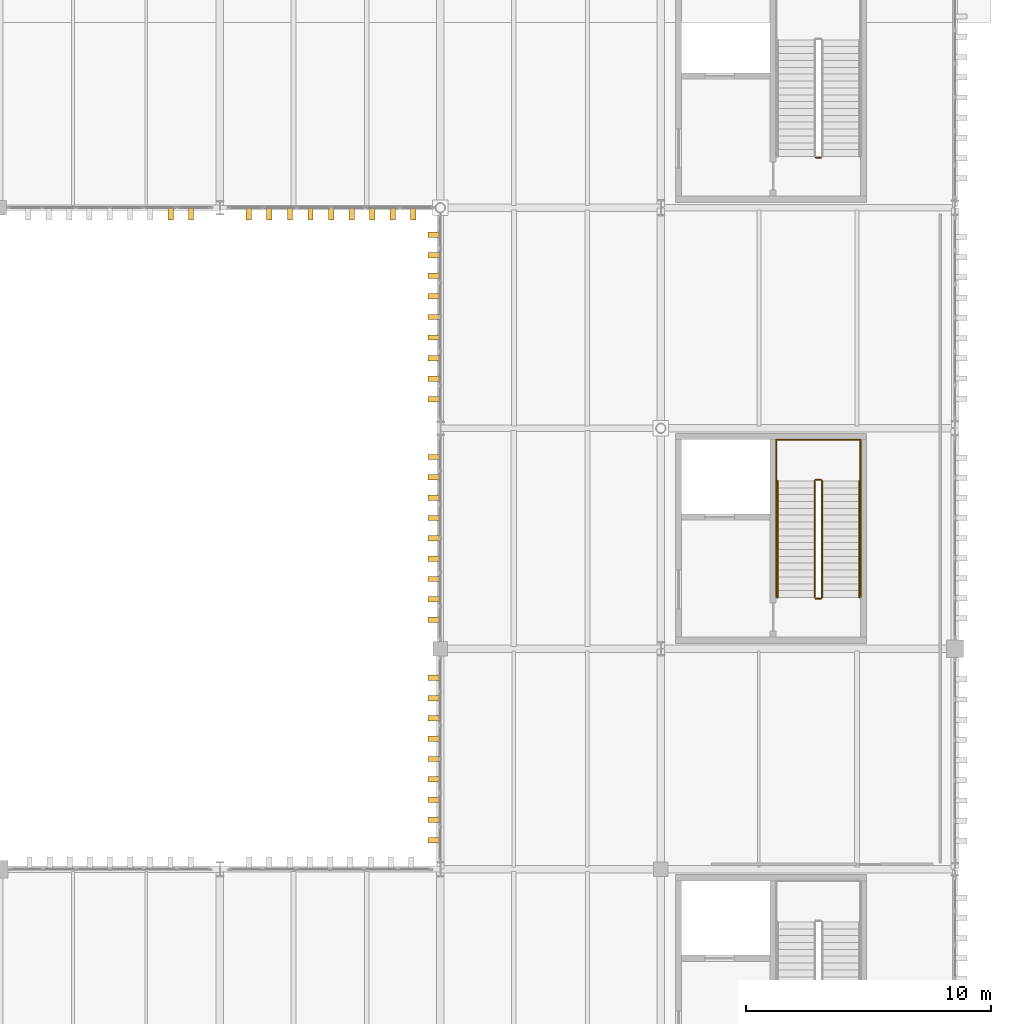
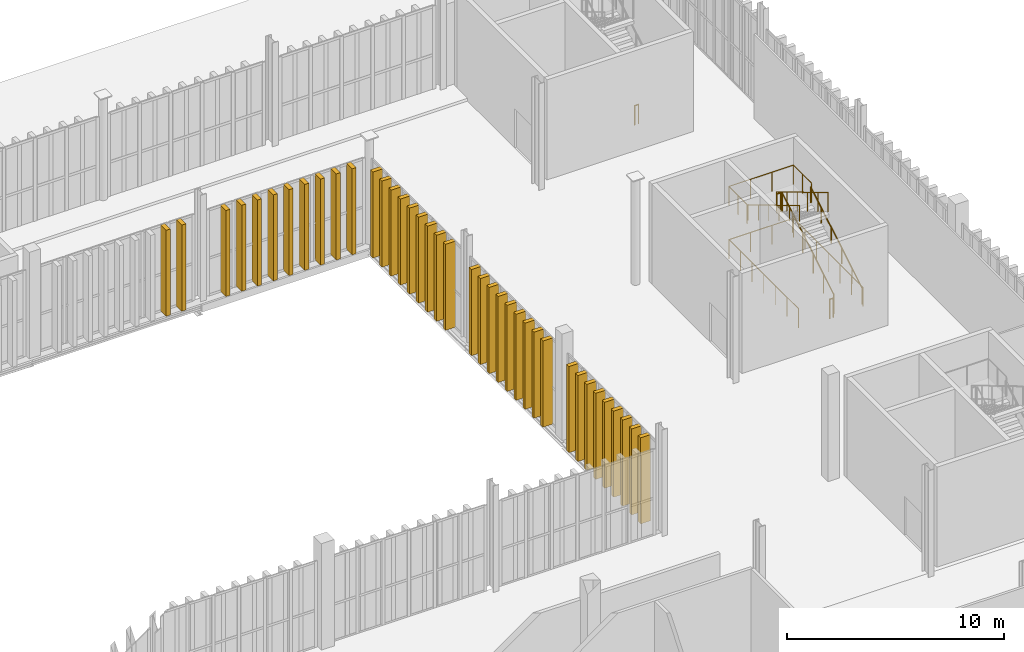
# One storey, part 230 of 237: 38 shading devices, 13 railings.
"""IFC4 building model written with IfcOpenShell, lengths in metres."""

import ifcopenshell
import ifcopenshell.guid

model = None  # the IFC model being written
_history = None  # IfcOwnerHistory: only IFC2X3 demands one
_inside = {}  # id of a spatial element -> (the spatial element, [elements in it])
_under = {}  # id of a project, library or spatial element -> (it, [spatial elements below it])
_declared = {}  # id of a project -> (the project, [libraries it declares])
_typed = {}  # id of a type object -> (the type object, [elements of that type])
_made_of = {}  # id of a material, layer set ... -> (it, [elements and type objects made of it])


def new_model(schema):
    """Start an empty IFC model of exactly this schema.

    Asked for "IFC4X3", IfcOpenShell would pick the latest addendum, in which some entities
    have other attributes; the version numbers below select the first issue.
    IFC2X3 requires an IfcOwnerHistory on every rooted entity: one is made here for all.
    """
    global model, _history
    if schema == "IFC4X3":
        model = ifcopenshell.file(schema_version=(4, 3, 0, 0))
    else:
        model = ifcopenshell.file(schema=schema)
    _inside.clear()
    _under.clear()
    _declared.clear()
    _typed.clear()
    _made_of.clear()
    _history = None
    if model.schema == "IFC2X3":
        org = make("IfcOrganization", Name="unknown")
        user = make(
            "IfcPersonAndOrganization",
            ThePerson=make("IfcPerson", FamilyName="unknown"),
            TheOrganization=org,
        )
        app = make(
            "IfcApplication",
            ApplicationDeveloper=org,
            Version="unknown",
            ApplicationFullName="unknown",
            ApplicationIdentifier="unknown",
        )
        _history = make(
            "IfcOwnerHistory",
            OwningUser=user,
            OwningApplication=app,
            ChangeAction="ADDED",
            CreationDate=0,
        )
    return model


def make(cls, **values):
    """One entity of the class cls with the attributes given. An attribute that is None is left unset."""
    return model.create_entity(
        cls, **{name: value for name, value in values.items() if value is not None}
    )


def rooted(cls, **values):
    """An entity with a GlobalId (a new one), such as an element, a storey or a relation."""
    return make(cls, GlobalId=ifcopenshell.guid.new(), OwnerHistory=_history, **values)


def si_unit(unit_type, name, prefix=None):
    """IfcSIUnit, for example si_unit("LENGTHUNIT", "METRE", prefix="MILLI")."""
    return make("IfcSIUnit", UnitType=unit_type, Prefix=prefix, Name=name)


def assignment(units):
    """IfcUnitAssignment: the units of a project."""
    return None if units is None else make("IfcUnitAssignment", Units=units)


def point(xyz):
    """IfcCartesianPoint."""
    return None if xyz is None else make("IfcCartesianPoint", Coordinates=xyz)


def direction(xyz):
    """IfcDirection."""
    return None if xyz is None else make("IfcDirection", DirectionRatios=xyz)


def frame(location, z_axis=None, x_axis=None):
    """IfcAxis2Placement3D, a coordinate frame: its origin and axes. An axis left out is left unset."""
    return make(
        "IfcAxis2Placement3D",
        Location=point(location),
        Axis=direction(z_axis),
        RefDirection=direction(x_axis),
    )


def frame_2d(location, x_axis=None):
    """IfcAxis2Placement2D, a coordinate frame in the plane: its origin and x axis."""
    return make(
        "IfcAxis2Placement2D", Location=point(location), RefDirection=direction(x_axis)
    )


def origin():
    """The frame at (0, 0, 0) with its axes left unset."""
    return frame((0.0, 0.0, 0.0))


def origin_2d():
    """The frame at (0, 0) in the plane with its x axis left unset."""
    return frame_2d((0.0, 0.0))


def place(relative_to, where):
    """IfcLocalPlacement: puts the frame where relative to a parent placement (None: the world)."""
    return make(
        "IfcLocalPlacement", PlacementRelTo=relative_to, RelativePlacement=where
    )


def context(
    kind, dimensions, precision=None, world=None, true_north=None, identifier=None
):
    """IfcGeometricRepresentationContext, for example the 3D "Model" context."""
    return make(
        "IfcGeometricRepresentationContext",
        ContextIdentifier=identifier,
        ContextType=kind,
        CoordinateSpaceDimension=dimensions,
        Precision=precision,
        WorldCoordinateSystem=world,
        TrueNorth=true_north,
    )


def subcontext(parent, identifier, kind, view, scale=None):
    """IfcGeometricRepresentationSubContext, for example "Body" below "Model"."""
    return make(
        "IfcGeometricRepresentationSubContext",
        ContextIdentifier=identifier,
        ContextType=kind,
        ParentContext=parent,
        TargetScale=scale,
        TargetView=view,
    )


def project(units=None, contexts=None):
    """IfcProject with its units and contexts."""
    return rooted(
        "IfcProject",
        Name="project",
        RepresentationContexts=contexts,
        UnitsInContext=assignment(units),
    )


def spatial(cls, under=None, at=None, **own):
    """A site, building, storey or space (cls), placed at a placement, below another one or the project."""
    s = rooted(cls, ObjectPlacement=at, **own)
    if under is not None:
        _under.setdefault(under.id(), (under, []))[1].append(s)
    return s


def profile(cls, at=None, kind="AREA", **sizes):
    """A parametric profile (cls). Its sizes go by their IFC names, for example OverallWidth=200.0."""
    return make(cls, ProfileType=kind, Position=at, **sizes)


def rectangle(**sizes):
    """IfcRectangleProfileDef."""
    return profile("IfcRectangleProfileDef", **sizes)


def circle(**sizes):
    """IfcCircleProfileDef."""
    return profile("IfcCircleProfileDef", **sizes)


def extrude(swept, where, along, depth):
    """IfcExtrudedAreaSolid: the profile swept, set in the frame where, extruded along a direction by depth."""
    return make(
        "IfcExtrudedAreaSolid",
        SweptArea=swept,
        Position=where,
        ExtrudedDirection=direction(along),
        Depth=depth,
    )


def shape(context_of_items, identifier, shape_type, items):
    """IfcShapeRepresentation: the items that make up one representation, for example the "Body"."""
    return make(
        "IfcShapeRepresentation",
        ContextOfItems=context_of_items,
        RepresentationIdentifier=identifier,
        RepresentationType=shape_type,
        Items=items,
    )


def material(Name=None, Category=None):
    """IfcMaterial."""
    return make("IfcMaterial", Name=Name, Category=Category)


def made_of(thing, what):
    """Note that an element or type object is made of a material, layer set ...; save() writes the relation."""
    if what is not None:
        _made_of.setdefault(what.id(), (what, []))[1].append(thing)
    return thing


def type_object(cls, material=None, **own):
    """A type object (cls), such as IfcWallType, which elements share."""
    return made_of(rooted(cls, **own), material)


def element(
    cls,
    number,
    at=None,
    inside=None,
    cuts=None,
    type_object=None,
    material=None,
    context=None,
    identifier="Body",
    shape_type=None,
    held_by="IfcProductDefinitionShape",
    body=None,
    shapes=None,
    **own,
):
    """One element of the class cls, such as IfcWall. Its Tag is "e" and its number.

    at: its placement. inside: the storey or other place that contains it. cuts: it is an
    opening in that element (IfcRelVoidsElement). A single representation is given by context,
    identifier, shape_type and body (its items); several are given by shapes. held_by: the class
    of the entity that holds the representations. save() writes the other relations.
    """
    e = rooted(cls, Tag="e%d" % number, ObjectPlacement=at, **own)
    if body is not None:
        shapes = [shape(context, identifier, shape_type, body)]
    if shapes is not None:
        e.Representation = make(held_by, Representations=shapes)
    if inside is not None:
        _inside.setdefault(inside.id(), (inside, []))[1].append(e)
    if cuts is not None:
        rooted(
            "IfcRelVoidsElement", RelatingBuildingElement=cuts, RelatedOpeningElement=e
        )
    if type_object is not None:
        _typed.setdefault(type_object.id(), (type_object, []))[1].append(e)
    return made_of(e, material)


def aggregate(whole, parts):
    """IfcRelAggregates: a whole, such as a stair, and the parts it consists of."""
    return rooted("IfcRelAggregates", RelatingObject=whole, RelatedObjects=parts)


def save(model, path):
    """Write the relations noted so far, then the file.

    IfcRelAggregates (storeys below a building ...), IfcRelContainedInSpatialStructure (elements
    in a storey), IfcRelDefinesByType, IfcRelAssociatesMaterial and IfcRelDeclares: one each for
    every whole, place, type object, material and project.
    """
    for whole, parts in _under.values():
        aggregate(whole, parts)
    for where, things in _inside.values():
        rooted(
            "IfcRelContainedInSpatialStructure",
            RelatedElements=things,
            RelatingStructure=where,
        )
    for kind, things in _typed.values():
        rooted("IfcRelDefinesByType", RelatedObjects=things, RelatingType=kind)
    for what, things in _made_of.values():
        rooted("IfcRelAssociatesMaterial", RelatedObjects=things, RelatingMaterial=what)
    for by, libraries in _declared.values():
        rooted("IfcRelDeclares", RelatingContext=by, RelatedDefinitions=libraries)
    model.write(path)


model = new_model("IFC4")

# Units and contexts
model_context = context("Model", 3, precision=1e-05, world=origin(), true_north=direction((0.0, 1.0)))
body_context = subcontext(model_context, "Body", "Model", "MODEL_VIEW")
ifc_project = project(units=[si_unit("LENGTHUNIT", "METRE"), si_unit("AREAUNIT", "SQUARE_METRE"), si_unit("VOLUMEUNIT", "CUBIC_METRE"), si_unit("PLANEANGLEUNIT", "RADIAN"), si_unit("MASSUNIT", "GRAM", prefix="KILO")], contexts=[model_context])

# Site, building, storey
site_placement = place(None, origin())
site = spatial("IfcSite", under=ifc_project, at=site_placement, CompositionType="ELEMENT")
building_placement = place(site_placement, origin())
building = spatial("IfcBuilding", under=site, at=building_placement, Name="Barlavento Convention Centre", CompositionType="ELEMENT")
storey_placement = place(building_placement, frame((0.0, 0.0, 12.0)))
storey = spatial("IfcBuildingStorey", under=building, at=storey_placement, Name="L02", CompositionType="ELEMENT", Elevation=12.0)

# Railings
ifc_material_1 = material(Name="Stainless steel and laminated glass balustrade", Category="steel")
railing_type_1 = type_object("IfcRailingType", Name="ARC-RAL-BAL-1100", PredefinedType="BALUSTRADE", material=ifc_material_1)
railing_1_placement = place(storey_placement, frame((186.580078125, 74.090087890625, 0.166748046875)))
element("IfcRailing", 1, at=railing_1_placement, inside=storey, type_object=railing_type_1, Name="L02 ST07 stair guard 1", PredefinedType="BALUSTRADE", context=body_context, shape_type="SweptSolid", body=[
    extrude(circle(Radius=0.02392578125, at=origin_2d()), frame((0.0, 0.0, 1.076171875), z_axis=(0.0, 0.859299802514, 0.511472237174), x_axis=(-1.0, 0.0, 0.0)), (0.0, 0.0, 1.0), 5.539306640625),
    extrude(circle(Radius=0.02099609375, at=origin_2d()), origin(), (0.0, 0.0, 1.0), 1.052001953125),
    extrude(circle(Radius=0.02099609375, at=origin_2d()), frame((0.0, 0.951904296875, 0.566650390625)), (0.0, 0.0, 1.0), 1.052001953125),
    extrude(circle(Radius=0.02099609375, at=origin_2d()), frame((0.0, 1.904052734375, 1.13330078125)), (0.0, 0.0, 1.0), 1.052001953125),
    extrude(circle(Radius=0.02099609375, at=origin_2d()), frame((0.0, 2.85595703125, 1.699951171875)), (0.0, 0.0, 1.0), 1.052001953125),
    extrude(circle(Radius=0.02099609375, at=origin_2d()), frame((0.0, 3.80810546875, 2.2666015625)), (0.0, 0.0, 1.0), 1.052001953125),
    extrude(circle(Radius=0.02099609375, at=origin_2d()), frame((0.0, 4.760009765625, 2.833251953125)), (0.0, 0.0, 1.0), 1.052001953125),
])
railing_2_placement = place(storey_placement, frame((186.530029296875, 78.89990234375, 3.0)))
element("IfcRailing", 2, at=railing_2_placement, inside=storey, type_object=railing_type_1, Name="L02 ST07 stair guard 2", PredefinedType="BALUSTRADE", context=body_context, shape_type="SweptSolid", body=[
    extrude(circle(Radius=0.02392578125, at=origin_2d()), frame((0.0, 0.0, 1.076171875), z_axis=(-1.0, 0.0, 0.0), x_axis=(0.0, -1.0, 0.0)), (0.0, 0.0, 1.0), 0.199951171875),
    extrude(circle(Radius=0.02099609375, at=origin_2d()), origin(), (0.0, 0.0, 1.0), 1.052001953125),
    extrude(circle(Radius=0.02099609375, at=origin_2d()), frame((-0.199951171875, 0.0, 0.0)), (0.0, 0.0, 1.0), 1.052001953125),
])
railing_3_placement = place(storey_placement, frame((186.280029296875, 78.85009765625, 3.166748046875)))
element("IfcRailing", 3, at=railing_3_placement, inside=storey, type_object=railing_type_1, Name="L02 ST07 stair guard 3", PredefinedType="BALUSTRADE", context=body_context, shape_type="SweptSolid", body=[
    extrude(circle(Radius=0.02392578125, at=origin_2d()), frame((0.0, 0.0, 1.076171875), z_axis=(0.0, -0.859299802514, 0.511472237174), x_axis=(1.0, 0.0, 0.0)), (0.0, 0.0, 1.0), 5.539306640625),
    extrude(circle(Radius=0.02099609375, at=origin_2d()), origin(), (0.0, 0.0, 1.0), 1.052001953125),
    extrude(circle(Radius=0.02099609375, at=origin_2d()), frame((0.0, -0.951904296875, 0.566650390625)), (0.0, 0.0, 1.0), 1.052001953125),
    extrude(circle(Radius=0.02099609375, at=origin_2d()), frame((0.0, -1.904052734375, 1.13330078125)), (0.0, 0.0, 1.0), 1.052001953125),
    extrude(circle(Radius=0.02099609375, at=origin_2d()), frame((0.0, -2.85595703125, 1.699951171875)), (0.0, 0.0, 1.0), 1.052001953125),
    extrude(circle(Radius=0.02099609375, at=origin_2d()), frame((0.0, -3.80810546875, 2.2666015625)), (0.0, 0.0, 1.0), 1.052001953125),
    extrude(circle(Radius=0.02099609375, at=origin_2d()), frame((0.0, -4.760009765625, 2.833251953125)), (0.0, 0.0, 1.0), 1.052001953125),
])
railing_4_placement = place(storey_placement, frame((186.530029296875, 74.0400390625, 0.0)))
element("IfcRailing", 4, at=railing_4_placement, inside=storey, type_object=railing_type_1, Name="L02 ST07 stair guard 4", PredefinedType="BALUSTRADE", context=body_context, shape_type="SweptSolid", body=[
    extrude(circle(Radius=0.02392578125, at=origin_2d()), frame((0.0, 0.0, 1.076171875), z_axis=(-1.0, 0.0, 0.0), x_axis=(0.0, -1.0, 0.0)), (0.0, 0.0, 1.0), 0.199951171875),
    extrude(circle(Radius=0.02099609375, at=origin_2d()), origin(), (0.0, 0.0, 1.0), 1.052001953125),
    extrude(circle(Radius=0.02099609375, at=origin_2d()), frame((-0.199951171875, 0.0, 0.0)), (0.0, 0.0, 1.0), 1.052001953125),
])
for number, where, name in (
    (5, (188.14990234375, 78.85009765625, 3.0), "L02 landing guard GR01"),
    (6, (184.7099609375, 78.85009765625, 3.0), "L02 landing guard GR01"),
):
    element("IfcRailing", number, at=place(storey_placement, frame(where)), inside=storey, type_object=railing_type_1, Name=name, PredefinedType="BALUSTRADE", context=body_context, shape_type="SweptSolid", body=[
        extrude(circle(Radius=0.02392578125, at=origin_2d()), frame((0.0, 0.0, 1.076171875), z_axis=(0.0, 1.0, 0.0), x_axis=(-1.0, 0.0, 0.0)), (0.0, 0.0, 1.0), 1.679931640625),
        extrude(circle(Radius=0.02099609375, at=origin_2d()), origin(), (0.0, 0.0, 1.0), 1.052001953125),
        extrude(circle(Radius=0.02099609375, at=origin_2d()), frame((0.0, 0.83984375, 0.0)), (0.0, 0.0, 1.0), 1.052001953125),
        extrude(circle(Radius=0.02099609375, at=origin_2d()), frame((0.0, 1.679931640625, 0.0)), (0.0, 0.0, 1.0), 1.052001953125),
    ])
railing_5_placement = place(storey_placement, frame((188.14990234375, 80.530029296875, 3.0)))
element("IfcRailing", 7, at=railing_5_placement, inside=storey, type_object=railing_type_1, Name="L02 landing guard GR01", PredefinedType="BALUSTRADE", context=body_context, shape_type="SweptSolid", body=[
    extrude(circle(Radius=0.02392578125, at=origin_2d()), frame((0.0, 0.0, 1.076171875), z_axis=(-1.0, 0.0, 0.0), x_axis=(0.0, -1.0, 0.0)), (0.0, 0.0, 1.0), 3.43994140625),
    extrude(circle(Radius=0.02099609375, at=origin_2d()), origin(), (0.0, 0.0, 1.0), 1.052001953125),
    extrude(circle(Radius=0.02099609375, at=origin_2d()), frame((-1.146728515625, 0.0, 0.0)), (0.0, 0.0, 1.0), 1.052001953125),
    extrude(circle(Radius=0.02099609375, at=origin_2d()), frame((-2.293212890625, 0.0, 0.0)), (0.0, 0.0, 1.0), 1.052001953125),
    extrude(circle(Radius=0.02099609375, at=origin_2d()), frame((-3.43994140625, 0.0, 0.0)), (0.0, 0.0, 1.0), 1.052001953125),
])
railing_6_placement = place(storey_placement, frame((188.14990234375, 74.114990234375, 0.0)))
element("IfcRailing", 8, at=railing_6_placement, inside=storey, type_object=railing_type_1, Name="L02 stairwell perimeter guard GR01", PredefinedType="BALUSTRADE", context=body_context, shape_type="SweptSolid", body=[
    extrude(circle(Radius=0.02392578125, at=origin_2d()), frame((0.0, 0.0, 1.076171875), z_axis=(0.0, 1.0, 0.0), x_axis=(-1.0, 0.0, 0.0)), (0.0, 0.0, 1.0), 6.4150390625),
    extrude(circle(Radius=0.02099609375, at=origin_2d()), origin(), (0.0, 0.0, 1.0), 1.052001953125),
    extrude(circle(Radius=0.02099609375, at=origin_2d()), frame((0.0, 1.069091796875, 0.0)), (0.0, 0.0, 1.0), 1.052001953125),
    extrude(circle(Radius=0.02099609375, at=origin_2d()), frame((0.0, 2.138427734375, 0.0)), (0.0, 0.0, 1.0), 1.052001953125),
    extrude(circle(Radius=0.02099609375, at=origin_2d()), frame((0.0, 3.20751953125, 0.0)), (0.0, 0.0, 1.0), 1.052001953125),
    extrude(circle(Radius=0.02099609375, at=origin_2d()), frame((0.0, 4.276611328125, 0.0)), (0.0, 0.0, 1.0), 1.052001953125),
    extrude(circle(Radius=0.02099609375, at=origin_2d()), frame((0.0, 5.345947265625, 0.0)), (0.0, 0.0, 1.0), 1.052001953125),
    extrude(circle(Radius=0.02099609375, at=origin_2d()), frame((0.0, 6.4150390625, 0.0)), (0.0, 0.0, 1.0), 1.052001953125),
])
railing_7_placement = place(storey_placement, frame((188.14990234375, 80.530029296875, 0.0)))
element("IfcRailing", 9, at=railing_7_placement, inside=storey, type_object=railing_type_1, Name="L02 stairwell perimeter guard GR01", PredefinedType="BALUSTRADE", context=body_context, shape_type="SweptSolid", body=[
    extrude(circle(Radius=0.02392578125, at=origin_2d()), frame((0.0, 0.0, 1.076171875), z_axis=(-1.0, 0.0, 0.0), x_axis=(0.0, -1.0, 0.0)), (0.0, 0.0, 1.0), 3.43994140625),
    extrude(circle(Radius=0.02099609375, at=origin_2d()), origin(), (0.0, 0.0, 1.0), 1.052001953125),
    extrude(circle(Radius=0.02099609375, at=origin_2d()), frame((-1.146728515625, 0.0, 0.0)), (0.0, 0.0, 1.0), 1.052001953125),
    extrude(circle(Radius=0.02099609375, at=origin_2d()), frame((-2.293212890625, 0.0, 0.0)), (0.0, 0.0, 1.0), 1.052001953125),
    extrude(circle(Radius=0.02099609375, at=origin_2d()), frame((-3.43994140625, 0.0, 0.0)), (0.0, 0.0, 1.0), 1.052001953125),
])
railing_8_placement = place(storey_placement, frame((184.7099609375, 80.530029296875, 0.0)))
element("IfcRailing", 10, at=railing_8_placement, inside=storey, type_object=railing_type_1, Name="L02 stairwell perimeter guard GR01", PredefinedType="BALUSTRADE", context=body_context, shape_type="SweptSolid", body=[
    extrude(circle(Radius=0.02392578125, at=origin_2d()), frame((0.0, 0.0, 1.076171875), z_axis=(0.0, -1.0, 0.0), x_axis=(1.0, 0.0, 0.0)), (0.0, 0.0, 1.0), 6.4150390625),
    extrude(circle(Radius=0.02099609375, at=origin_2d()), origin(), (0.0, 0.0, 1.0), 1.052001953125),
    extrude(circle(Radius=0.02099609375, at=origin_2d()), frame((0.0, -1.069091796875, 0.0)), (0.0, 0.0, 1.0), 1.052001953125),
    extrude(circle(Radius=0.02099609375, at=origin_2d()), frame((0.0, -2.138427734375, 0.0)), (0.0, 0.0, 1.0), 1.052001953125),
    extrude(circle(Radius=0.02099609375, at=origin_2d()), frame((0.0, -3.20751953125, 0.0)), (0.0, 0.0, 1.0), 1.052001953125),
    extrude(circle(Radius=0.02099609375, at=origin_2d()), frame((0.0, -4.276611328125, 0.0)), (0.0, 0.0, 1.0), 1.052001953125),
    extrude(circle(Radius=0.02099609375, at=origin_2d()), frame((0.0, -5.345947265625, 0.0)), (0.0, 0.0, 1.0), 1.052001953125),
    extrude(circle(Radius=0.02099609375, at=origin_2d()), frame((0.0, -6.4150390625, 0.0)), (0.0, 0.0, 1.0), 1.052001953125),
])
railing_9_placement = place(storey_placement, frame((186.530029296875, 92.0400390625, 0.0)))
element("IfcRailing", 11, at=railing_9_placement, inside=storey, type_object=railing_type_1, Name="L02 ST08 stair guard 4", PredefinedType="BALUSTRADE", context=body_context, shape_type="SweptSolid", body=[
    extrude(circle(Radius=0.02392578125, at=origin_2d()), frame((0.0, 0.0, 1.076171875), z_axis=(-1.0, 0.0, 0.0), x_axis=(0.0, -1.0, 0.0)), (0.0, 0.0, 1.0), 0.199951171875),
    extrude(circle(Radius=0.02099609375, at=origin_2d()), origin(), (0.0, 0.0, 1.0), 1.052001953125),
    extrude(circle(Radius=0.02099609375, at=origin_2d()), frame((-0.199951171875, 0.0, 0.0)), (0.0, 0.0, 1.0), 1.052001953125),
])
ifc_material_2 = material(Name="Brushed stainless steel tubular handrail", Category="steel")
railing_type_2 = type_object("IfcRailingType", Name="ARC-RAL-HR-900", PredefinedType="HANDRAIL", material=ifc_material_2)
railing_10_placement = place(storey_placement, frame((188.10009765625, 74.090087890625, 0.166748046875)))
element("IfcRailing", 12, at=railing_10_placement, inside=storey, type_object=railing_type_2, Name="L02 ST07 stair handrail 1", PredefinedType="HANDRAIL", context=body_context, shape_type="SweptSolid", body=[
    extrude(circle(Radius=0.02392578125, at=origin_2d()), frame((0.0, 0.0, 0.8759765625), z_axis=(0.0, 0.859299802514, 0.511472237174), x_axis=(-1.0, 0.0, 0.0)), (0.0, 0.0, 1.0), 5.539306640625),
    extrude(circle(Radius=0.02099609375, at=origin_2d()), origin(), (0.0, 0.0, 1.0), 0.851806640625),
    extrude(circle(Radius=0.02099609375, at=origin_2d()), frame((0.0, 0.951904296875, 0.566650390625)), (0.0, 0.0, 1.0), 0.851806640625),
    extrude(circle(Radius=0.02099609375, at=origin_2d()), frame((0.0, 1.904052734375, 1.13330078125)), (0.0, 0.0, 1.0), 0.851806640625),
    extrude(circle(Radius=0.02099609375, at=origin_2d()), frame((0.0, 2.85595703125, 1.699951171875)), (0.0, 0.0, 1.0), 0.851806640625),
    extrude(circle(Radius=0.02099609375, at=origin_2d()), frame((0.0, 3.80810546875, 2.2666015625)), (0.0, 0.0, 1.0), 0.851806640625),
    extrude(circle(Radius=0.02099609375, at=origin_2d()), frame((0.0, 4.760009765625, 2.833251953125)), (0.0, 0.0, 1.0), 0.851806640625),
])
railing_11_placement = place(storey_placement, frame((184.760009765625, 78.85009765625, 3.166748046875)))
element("IfcRailing", 13, at=railing_11_placement, inside=storey, type_object=railing_type_2, Name="L02 ST07 stair handrail 2", PredefinedType="HANDRAIL", context=body_context, shape_type="SweptSolid", body=[
    extrude(circle(Radius=0.02392578125, at=origin_2d()), frame((0.0, 0.0, 0.8759765625), z_axis=(0.0, -0.859299802514, 0.511472237174), x_axis=(1.0, 0.0, 0.0)), (0.0, 0.0, 1.0), 5.539306640625),
    extrude(circle(Radius=0.02099609375, at=origin_2d()), origin(), (0.0, 0.0, 1.0), 0.851806640625),
    extrude(circle(Radius=0.02099609375, at=origin_2d()), frame((0.0, -0.951904296875, 0.566650390625)), (0.0, 0.0, 1.0), 0.851806640625),
    extrude(circle(Radius=0.02099609375, at=origin_2d()), frame((0.0, -1.904052734375, 1.13330078125)), (0.0, 0.0, 1.0), 0.851806640625),
    extrude(circle(Radius=0.02099609375, at=origin_2d()), frame((0.0, -2.85595703125, 1.699951171875)), (0.0, 0.0, 1.0), 0.851806640625),
    extrude(circle(Radius=0.02099609375, at=origin_2d()), frame((0.0, -3.80810546875, 2.2666015625)), (0.0, 0.0, 1.0), 0.851806640625),
    extrude(circle(Radius=0.02099609375, at=origin_2d()), frame((0.0, -4.760009765625, 2.833251953125)), (0.0, 0.0, 1.0), 0.851806640625),
])

# Shading devices
ifc_material_3 = material(Name="PVDF white extruded aluminium", Category="aluminium")
shading_device_type = type_object("IfcShadingDeviceType", Name="ARC-SHD-FIN-480", PredefinedType="USERDEFINED", material=ifc_material_3)
for number, where, z_axis, x_axis, name in (
    (14, (159.9951171875, 89.760009765625, 0.0), (0.0, 0.0, 1.0), (1.0, 0.0, 0.0), "White vertical solar shading fin VF01"),
    (15, (160.82470703125, 89.760009765625, 0.0), (0.0, 0.0, 1.0), (1.0, 0.0, 0.0), "White vertical solar shading fin VF01"),
    (16, (163.18505859375, 89.760009765625, 0.0), (0.0, 0.0, 1.0), (1.0, 0.0, 0.0), "White vertical solar shading fin VF01"),
    (17, (164.024169921875, 89.760009765625, 0.0), (0.0, 0.0, 1.0), (1.0, 0.0, 0.0), "White vertical solar shading fin VF01"),
    (18, (164.86328125, 89.760009765625, 0.0), (0.0, 0.0, 1.0), (1.0, 0.0, 0.0), "White vertical solar shading fin VF01"),
    (19, (165.702392578125, 89.760009765625, 0.0), (0.0, 0.0, 1.0), (1.0, 0.0, 0.0), "White vertical solar shading fin VF01"),
    (20, (166.54150390625, 89.760009765625, 0.0), (0.0, 0.0, 1.0), (1.0, 0.0, 0.0), "White vertical solar shading fin VF01"),
    (21, (167.380615234375, 89.760009765625, 0.0), (0.0, 0.0, 1.0), (1.0, 0.0, 0.0), "White vertical solar shading fin VF01"),
    (22, (168.219482421875, 89.760009765625, 0.0), (0.0, 0.0, 1.0), (1.0, 0.0, 0.0), "White vertical solar shading fin VF01"),
    (23, (169.05859375, 89.760009765625, 0.0), (0.0, 0.0, 1.0), (1.0, 0.0, 0.0), "White vertical solar shading fin VF01"),
    (24, (169.897705078125, 89.760009765625, 0.0), (0.0, 0.0, 1.0), (1.0, 0.0, 0.0), "White vertical solar shading fin VF01"),
    (25, (170.760009765625, 64.18798828125, 0.0), (0.0, 0.0, 1.0), (0.0, 1.0, 0.0), "White vertical solar shading fin VF01"),
    (26, (170.760009765625, 65.01611328125, 0.0), (0.0, 0.0, 1.0), (0.0, 1.0, 0.0), "White vertical solar shading fin VF01"),
    (27, (170.760009765625, 65.843994140625, 0.0), (0.0, 0.0, 1.0), (0.0, 1.0, 0.0), "White vertical solar shading fin VF01"),
    (28, (170.760009765625, 66.672119140625, 0.0), (0.0, 0.0, 1.0), (0.0, 1.0, 0.0), "White vertical solar shading fin VF01"),
    (29, (170.760009765625, 67.5, 0.0), (0.0, 0.0, 1.0), (0.0, 1.0, 0.0), "White vertical solar shading fin VF01"),
    (30, (170.760009765625, 68.327880859375, 0.0), (0.0, 0.0, 1.0), (0.0, 1.0, 0.0), "White vertical solar shading fin VF01"),
    (31, (170.760009765625, 69.156005859375, 0.0), (0.0, 0.0, 1.0), (0.0, 1.0, 0.0), "White vertical solar shading fin VF01"),
    (32, (170.760009765625, 69.98388671875, 0.0), (0.0, 0.0, 1.0), (0.0, 1.0, 0.0), "White vertical solar shading fin VF01"),
    (33, (170.760009765625, 70.81201171875, 0.0), (0.0, 0.0, 1.0), (0.0, 1.0, 0.0), "White vertical solar shading fin VF01"),
    (34, (170.760009765625, 73.189453125, 0.0), (0.0, 0.0, 1.0), (0.0, 1.0, 0.0), "White vertical solar shading fin VF01"),
    (35, (170.760009765625, 74.018798828125, 0.0), (0.0, 0.0, 1.0), (0.0, 1.0, 0.0), "White vertical solar shading fin VF01"),
    (36, (170.760009765625, 74.84814453125, 0.0), (0.0, 0.0, 1.0), (0.0, 1.0, 0.0), "White vertical solar shading fin VF01"),
    (37, (170.760009765625, 75.677490234375, 0.0), (0.0, 0.0, 1.0), (0.0, 1.0, 0.0), "White vertical solar shading fin VF01"),
    (38, (170.760009765625, 76.507080078125, 0.0), (0.0, 0.0, 1.0), (0.0, 1.0, 0.0), "White vertical solar shading fin VF01"),
    (39, (170.760009765625, 77.33642578125, 0.0), (0.0, 0.0, 1.0), (0.0, 1.0, 0.0), "White vertical solar shading fin VF01"),
    (40, (170.760009765625, 78.165771484375, 0.0), (0.0, 0.0, 1.0), (0.0, 1.0, 0.0), "White vertical solar shading fin VF01"),
    (41, (170.760009765625, 78.9951171875, 0.0), (0.0, 0.0, 1.0), (0.0, 1.0, 0.0), "White vertical solar shading fin VF01"),
    (42, (170.760009765625, 79.82470703125, 0.0), (0.0, 0.0, 1.0), (0.0, 1.0, 0.0), "White vertical solar shading fin VF01"),
    (43, (170.760009765625, 82.18505859375, 0.0), (0.0, 0.0, 1.0), (0.0, 1.0, 0.0), "White vertical solar shading fin VF01"),
    (44, (170.760009765625, 83.024169921875, 0.0), (0.0, 0.0, 1.0), (0.0, 1.0, 0.0), "White vertical solar shading fin VF01"),
    (45, (170.760009765625, 83.86328125, 0.0), (0.0, 0.0, 1.0), (0.0, 1.0, 0.0), "White vertical solar shading fin VF01"),
    (46, (170.760009765625, 84.702392578125, 0.0), (0.0, 0.0, 1.0), (0.0, 1.0, 0.0), "White vertical solar shading fin VF01"),
    (47, (170.760009765625, 85.54150390625, 0.0), (0.0, 0.0, 1.0), (0.0, 1.0, 0.0), "White vertical solar shading fin VF01"),
    (48, (170.760009765625, 86.380615234375, 0.0), (0.0, 0.0, 1.0), (0.0, 1.0, 0.0), "White vertical solar shading fin VF01"),
    (49, (170.760009765625, 87.219482421875, 0.0), (0.0, 0.0, 1.0), (0.0, 1.0, 0.0), "White vertical solar shading fin VF01"),
    (50, (170.760009765625, 88.05859375, 0.0), (0.0, 0.0, 1.0), (0.0, 1.0, 0.0), "White vertical solar shading fin VF01"),
    (51, (170.760009765625, 88.897705078125, 0.0), (0.0, 0.0, 1.0), (0.0, 1.0, 0.0), "White vertical solar shading fin VF01"),
):
    element("IfcShadingDevice", number, at=place(storey_placement, frame(where, z_axis=z_axis, x_axis=x_axis)), inside=storey, type_object=shading_device_type, Name=name, ObjectType="FIN", PredefinedType="USERDEFINED", context=body_context, shape_type="SweptSolid", body=[
        extrude(rectangle(XDim=0.219970703125, YDim=0.52001953125, at=origin_2d()), origin(), (0.0, 0.0, 1.0), 4.85009765625),
    ])

save(model, "model.ifc")
